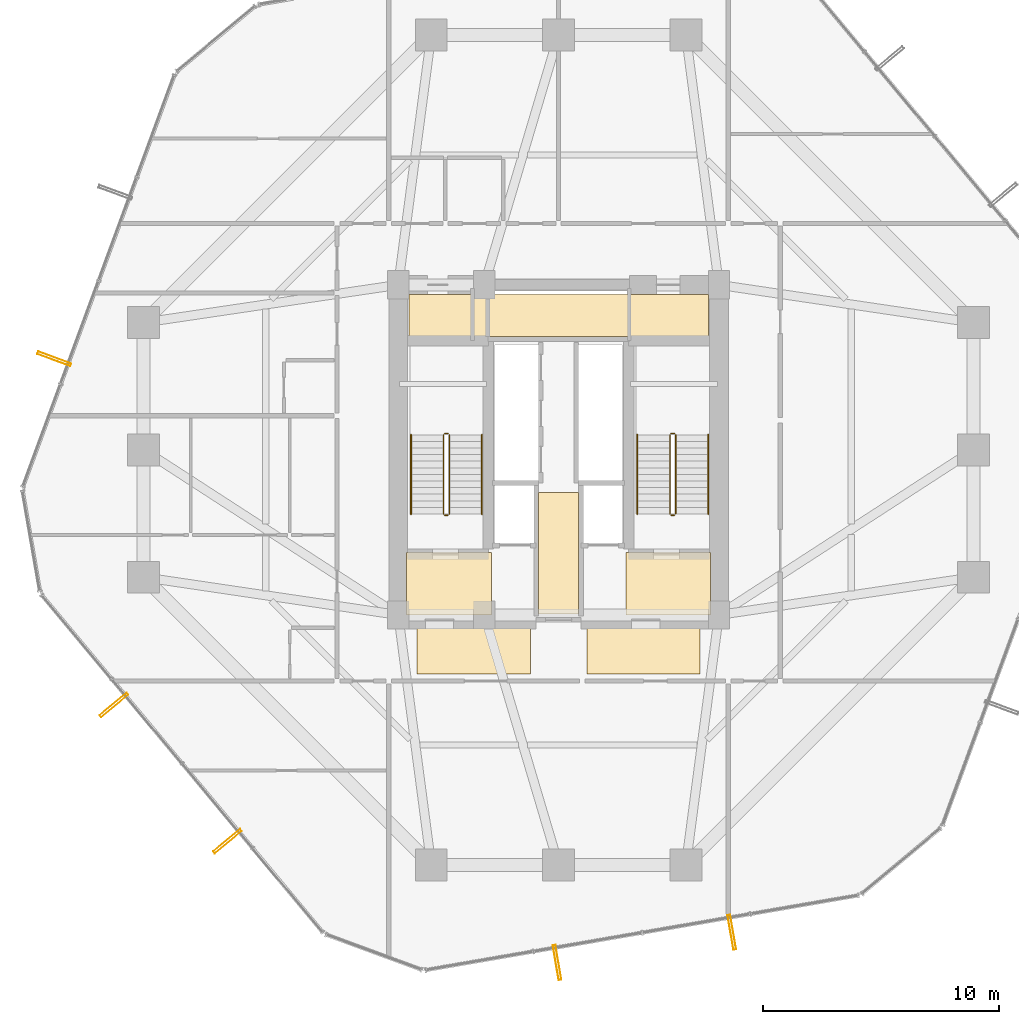
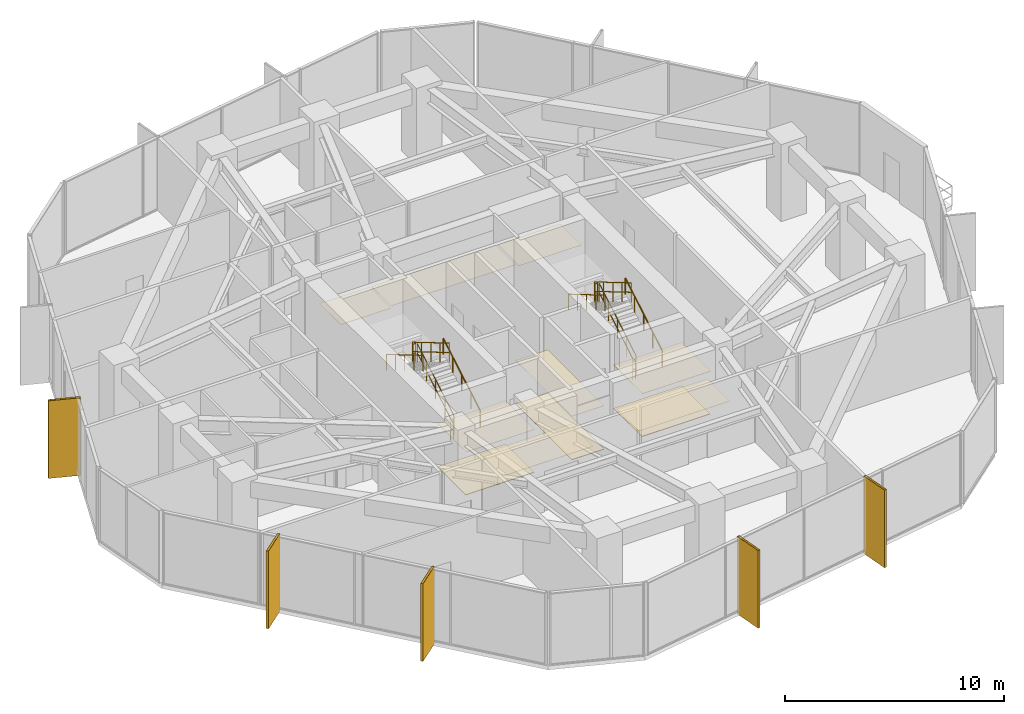
# One storey, part 34 of 35: 12 railings, 11 coverings, 5 shading devices.
"""IFC4 building model written with IfcOpenShell, lengths in metres."""

from ifc_helpers import new_model, si_unit, direction, frame, origin, origin_2d, place, context, subcontext, project, spatial, polyline, hollow_rectangle, circle, outline, extrude, material, layer, layer_set, material_profile, profile_set, type_object, element, save


model = new_model("IFC4")

# Units and contexts
model_context = context("Model", 3, precision=1e-05, world=origin(), true_north=direction((0.0, 1.0)))
body_context = subcontext(model_context, "Body", "Model", "MODEL_VIEW")
ifc_project = project(units=[si_unit("LENGTHUNIT", "METRE"), si_unit("AREAUNIT", "SQUARE_METRE"), si_unit("VOLUMEUNIT", "CUBIC_METRE"), si_unit("PLANEANGLEUNIT", "RADIAN"), si_unit("MASSUNIT", "GRAM", prefix="KILO")], contexts=[model_context])

# Site, building, storey
site_placement = place(None, origin())
site = spatial("IfcSite", under=ifc_project, at=site_placement, CompositionType="ELEMENT")
building_placement = place(site_placement, origin())
building = spatial("IfcBuilding", under=site, at=building_placement, Name="Veraguas Prism Commons", CompositionType="ELEMENT")
storey_placement = place(building_placement, frame((0.0, 0.0, 56.550048828125)))
storey = spatial("IfcBuildingStorey", under=building, at=storey_placement, Name="L15", CompositionType="ELEMENT", Elevation=56.550048828125)

# Shading devices
ifc_material_1 = material(Name="Anodised aluminium EN AW-6063 T6", Category="aluminium")
ifc_material_profile = material_profile(ifc_material_1, hollow_rectangle(XDim=0.1201171875, YDim=1.489990234375, WallThickness=0.006103515625, at=origin_2d()), Name="FIN120X1490X6")
ifc_profile_set = profile_set([ifc_material_profile], Name="Anodised aluminium EN AW-6063 T6")
shading_device_type = type_object("IfcShadingDeviceType", Name="Deep Pale-Metal Vertical Solar Fin 120x1490", PredefinedType="USERDEFINED", material=ifc_profile_set)
for number, where, z_axis, x_axis, name in (
    (1, (2.608642578125, 27.86328125, -0.260009765625), (0.0, 0.0, 1.0), (-0.345301474955, -0.938491817436, 0.0), "Vertical Pale-Metal Solar Fin L15-F3B"),
    (2, (5.14404296875, 13.184814453125, -0.260009765625), (0.0, 0.0, 1.0), (0.640108358576, -0.768284640795, 0.0), "Vertical Pale-Metal Solar Fin L15-F4A"),
    (3, (9.958740234375, 7.406005859375, -0.260009765625), (0.0, 0.0, 1.0), (0.640108358576, -0.768284640795, 0.0), "Vertical Pale-Metal Solar Fin L15-F4B"),
    (4, (23.938232421875, 2.2626953125, -0.260009765625), (0.0, 0.0, 1.0), (0.985407898483, 0.170209499166, 0.0), "Vertical Pale-Metal Solar Fin L15-F5A"),
    (5, (31.35009765625, 3.54296875, -0.260009765625), (0.0, 0.0, 1.0), (0.985407898483, 0.170209499166, 0.0), "Vertical Pale-Metal Solar Fin L15-F5B"),
):
    element("IfcShadingDevice", number, at=place(storey_placement, frame(where, z_axis=z_axis, x_axis=x_axis)), inside=storey, type_object=shading_device_type, Name=name, ObjectType="FIN", PredefinedType="USERDEFINED", context=body_context, shape_type="SweptSolid", body=[
        extrude(hollow_rectangle(XDim=0.1201171875, YDim=1.489990234375, WallThickness=0.006103515625, at=origin_2d()), origin(), (0.0, 0.0, 1.0), 4.330078125),
    ])

# Coverings
ifc_material_2 = material(Name="Acoustic gypsum board")
ifc_layer_1 = layer(ifc_material_2, 0.02490234375, Name="Perforated Acoustic Ceiling Tile 25")
ifc_layer_set_1 = layer_set([ifc_layer_1], Name="Acoustic gypsum board")
covering_type_1 = type_object("IfcCoveringType", Name="Perforated Acoustic Ceiling Tile 25", PredefinedType="USERDEFINED", material=ifc_layer_set_1)
covering_1_placement = place(storey_placement, frame((0.0, 0.0, 2.425048828125)))
element("IfcCovering", 6, at=covering_1_placement, inside=storey, type_object=covering_type_1, Name="East Lobby Acoustic Ceiling L15", ObjectType="ACOUSTIC CEILING", PredefinedType="USERDEFINED", context=body_context, shape_type="SweptSolid", body=[
    extrude(outline(polyline([(26.85009765625, 17.0), (30.449951171875, 17.0), (30.449951171875, 19.64990234375), (26.85009765625, 19.64990234375), (26.85009765625, 17.0)])), origin(), (0.0, 0.0, 1.0), 0.02490234375),
])
ifc_material_3 = material(Name="Terrazzo stone finish", Category="masonry")
ifc_layer_2 = layer(ifc_material_3, 0.030029296875, Name="Polished Terrazzo Floor Finish 30", Category="masonry")
ifc_layer_set_2 = layer_set([ifc_layer_2], Name="Terrazzo stone finish")
covering_type_2 = type_object("IfcCoveringType", Name="Polished Terrazzo Floor Finish 30", PredefinedType="FLOORING", material=ifc_layer_set_2)
covering_2_placement = place(storey_placement, origin())
element("IfcCovering", 7, at=covering_2_placement, inside=storey, type_object=covering_type_2, Name="Terrazzo Lobby Flooring L15", PredefinedType="FLOORING", context=body_context, shape_type="SweptSolid", body=[
    extrude(outline(polyline([(23.14990234375, 17.050048828125), (24.85009765625, 17.050048828125), (24.85009765625, 22.199951171875), (23.14990234375, 22.199951171875), (23.14990234375, 17.050048828125)])), origin(), (0.0, 0.0, 1.0), 0.030029296875),
])
covering_3_placement = place(storey_placement, origin())
element("IfcCovering", 8, at=covering_3_placement, inside=storey, type_object=covering_type_2, Name="West FF Lobby Terrazzo Flooring L15", PredefinedType="FLOORING", context=body_context, shape_type="SweptSolid", body=[
    extrude(outline(polyline([(17.550048828125, 17.050048828125), (21.14990234375, 17.050048828125), (21.14990234375, 19.64990234375), (17.550048828125, 19.64990234375), (17.550048828125, 17.050048828125)])), origin(), (0.0, 0.0, 1.0), 0.030029296875),
])
covering_4_placement = place(storey_placement, origin())
element("IfcCovering", 9, at=covering_4_placement, inside=storey, type_object=covering_type_2, Name="East FF Lobby Terrazzo Flooring L15", PredefinedType="FLOORING", context=body_context, shape_type="SweptSolid", body=[
    extrude(outline(polyline([(26.85009765625, 17.050048828125), (30.449951171875, 17.050048828125), (30.449951171875, 19.64990234375), (26.85009765625, 19.64990234375), (26.85009765625, 17.050048828125)])), origin(), (0.0, 0.0, 1.0), 0.030029296875),
])

# Railings
ifc_material_4 = material(Name="Stainless steel AISI 316", Category="steel")
railing_type_1 = type_object("IfcRailingType", Name="Stair and Ramp Stainless Handrail 900", PredefinedType="HANDRAIL", material=ifc_material_4)
railing_1_placement = place(storey_placement, frame((20.75, 21.280029296875, 0.165283203125)))
element("IfcRailing", 10, at=railing_1_placement, inside=storey, type_object=railing_type_1, Name="Stair Handrail ST-01 L15-1", PredefinedType="HANDRAIL", context=body_context, shape_type="SweptSolid", body=[
    extrude(circle(Radius=0.02392578125, at=origin_2d()), frame((0.0, 0.0, 0.8759765625), z_axis=(0.0, 0.861011212953, 0.508585972249), x_axis=(-1.0, 0.0, 0.0)), (0.0, 0.0, 1.0), 3.90234375),
    extrude(circle(Radius=0.02099609375, at=origin_2d()), origin(), (0.0, 0.0, 1.0), 0.851806640625),
    extrude(circle(Radius=0.02099609375, at=origin_2d()), frame((0.0, 0.83984375, 0.49609375)), (0.0, 0.0, 1.0), 0.851806640625),
    extrude(circle(Radius=0.02099609375, at=origin_2d()), frame((0.0, 1.679931640625, 0.9921875)), (0.0, 0.0, 1.0), 0.851806640625),
    extrude(circle(Radius=0.02099609375, at=origin_2d()), frame((0.0, 2.52001953125, 1.488525390625)), (0.0, 0.0, 1.0), 0.851806640625),
    extrude(circle(Radius=0.02099609375, at=origin_2d()), frame((0.0, 3.35986328125, 1.984619140625)), (0.0, 0.0, 1.0), 0.851806640625),
])
railing_2_placement = place(storey_placement, frame((17.739990234375, 24.639892578125, 2.3154296875)))
element("IfcRailing", 11, at=railing_2_placement, inside=storey, type_object=railing_type_1, Name="Stair Handrail ST-01 L15-2", PredefinedType="HANDRAIL", context=body_context, shape_type="SweptSolid", body=[
    extrude(circle(Radius=0.02392578125, at=origin_2d()), frame((0.0, 0.0, 0.8759765625), z_axis=(0.0, -0.861011212953, 0.508585972249), x_axis=(1.0, 0.0, 0.0)), (0.0, 0.0, 1.0), 3.90234375),
    extrude(circle(Radius=0.02099609375, at=origin_2d()), origin(), (0.0, 0.0, 1.0), 0.851806640625),
    extrude(circle(Radius=0.02099609375, at=origin_2d()), frame((0.0, -0.83984375, 0.49609375)), (0.0, 0.0, 1.0), 0.851806640625),
    extrude(circle(Radius=0.02099609375, at=origin_2d()), frame((0.0, -1.679931640625, 0.9921875)), (0.0, 0.0, 1.0), 0.851806640625),
    extrude(circle(Radius=0.02099609375, at=origin_2d()), frame((0.0, -2.52001953125, 1.488525390625)), (0.0, 0.0, 1.0), 0.851806640625),
    extrude(circle(Radius=0.02099609375, at=origin_2d()), frame((0.0, -3.35986328125, 1.984619140625)), (0.0, 0.0, 1.0), 0.851806640625),
])
railing_3_placement = place(storey_placement, frame((30.35009765625, 21.280029296875, 0.165283203125)))
element("IfcRailing", 12, at=railing_3_placement, inside=storey, type_object=railing_type_1, Name="Stair Handrail ST-02 L15-1", PredefinedType="HANDRAIL", context=body_context, shape_type="SweptSolid", body=[
    extrude(circle(Radius=0.02392578125, at=origin_2d()), frame((0.0, 0.0, 0.8759765625), z_axis=(0.0, 0.861011212953, 0.508585972249), x_axis=(-1.0, 0.0, 0.0)), (0.0, 0.0, 1.0), 3.90234375),
    extrude(circle(Radius=0.02099609375, at=origin_2d()), origin(), (0.0, 0.0, 1.0), 0.851806640625),
    extrude(circle(Radius=0.02099609375, at=origin_2d()), frame((0.0, 0.83984375, 0.49609375)), (0.0, 0.0, 1.0), 0.851806640625),
    extrude(circle(Radius=0.02099609375, at=origin_2d()), frame((0.0, 1.679931640625, 0.9921875)), (0.0, 0.0, 1.0), 0.851806640625),
    extrude(circle(Radius=0.02099609375, at=origin_2d()), frame((0.0, 2.52001953125, 1.488525390625)), (0.0, 0.0, 1.0), 0.851806640625),
    extrude(circle(Radius=0.02099609375, at=origin_2d()), frame((0.0, 3.35986328125, 1.984619140625)), (0.0, 0.0, 1.0), 0.851806640625),
])
railing_4_placement = place(storey_placement, frame((27.340087890625, 24.639892578125, 2.3154296875)))
element("IfcRailing", 13, at=railing_4_placement, inside=storey, type_object=railing_type_1, Name="Stair Handrail ST-02 L15-2", PredefinedType="HANDRAIL", context=body_context, shape_type="SweptSolid", body=[
    extrude(circle(Radius=0.02392578125, at=origin_2d()), frame((0.0, 0.0, 0.8759765625), z_axis=(0.0, -0.861011212953, 0.508585972249), x_axis=(1.0, 0.0, 0.0)), (0.0, 0.0, 1.0), 3.90234375),
    extrude(circle(Radius=0.02099609375, at=origin_2d()), origin(), (0.0, 0.0, 1.0), 0.851806640625),
    extrude(circle(Radius=0.02099609375, at=origin_2d()), frame((0.0, -0.83984375, 0.49609375)), (0.0, 0.0, 1.0), 0.851806640625),
    extrude(circle(Radius=0.02099609375, at=origin_2d()), frame((0.0, -1.679931640625, 0.9921875)), (0.0, 0.0, 1.0), 0.851806640625),
    extrude(circle(Radius=0.02099609375, at=origin_2d()), frame((0.0, -2.52001953125, 1.488525390625)), (0.0, 0.0, 1.0), 0.851806640625),
    extrude(circle(Radius=0.02099609375, at=origin_2d()), frame((0.0, -3.35986328125, 1.984619140625)), (0.0, 0.0, 1.0), 0.851806640625),
])
railing_type_2 = type_object("IfcRailingType", Name="Stairwell Safety Guardrail 1100", PredefinedType="GUARDRAIL", material=ifc_material_4)
railing_5_placement = place(storey_placement, frame((19.3701171875, 21.280029296875, 0.165283203125)))
element("IfcRailing", 14, at=railing_5_placement, inside=storey, type_object=railing_type_2, Name="Stair Guard ST-01 L15-1", PredefinedType="GUARDRAIL", context=body_context, shape_type="SweptSolid", body=[
    extrude(circle(Radius=0.02392578125, at=origin_2d()), frame((0.0, 0.0, 1.076171875), z_axis=(0.0, 0.861011212953, 0.508585972249), x_axis=(-1.0, 0.0, 0.0)), (0.0, 0.0, 1.0), 3.90234375),
    extrude(circle(Radius=0.02392578125, at=origin_2d()), frame((0.0, 0.0, 0.550048828125), z_axis=(0.0, 0.861011212953, 0.508585972249), x_axis=(-1.0, 0.0, 0.0)), (0.0, 0.0, 1.0), 3.90234375),
    extrude(circle(Radius=0.02099609375, at=origin_2d()), origin(), (0.0, 0.0, 1.0), 1.052001953125),
    extrude(circle(Radius=0.02099609375, at=origin_2d()), frame((0.0, 0.83984375, 0.49609375)), (0.0, 0.0, 1.0), 1.052001953125),
    extrude(circle(Radius=0.02099609375, at=origin_2d()), frame((0.0, 1.679931640625, 0.9921875)), (0.0, 0.0, 1.0), 1.052001953125),
    extrude(circle(Radius=0.02099609375, at=origin_2d()), frame((0.0, 2.52001953125, 1.488525390625)), (0.0, 0.0, 1.0), 1.052001953125),
    extrude(circle(Radius=0.02099609375, at=origin_2d()), frame((0.0, 3.35986328125, 1.984619140625)), (0.0, 0.0, 1.0), 1.052001953125),
])
railing_6_placement = place(storey_placement, frame((19.320068359375, 24.68994140625, 2.14990234375)))
element("IfcRailing", 15, at=railing_6_placement, inside=storey, type_object=railing_type_2, Name="Stair Guard ST-01 L15-2", PredefinedType="GUARDRAIL", context=body_context, shape_type="SweptSolid", body=[
    extrude(circle(Radius=0.02392578125, at=origin_2d()), frame((0.0, 0.0, 1.076171875), z_axis=(-1.0, 0.0, 0.0), x_axis=(0.0, -1.0, 0.0)), (0.0, 0.0, 1.0), 0.150146484375),
    extrude(circle(Radius=0.02392578125, at=origin_2d()), frame((0.0, 0.0, 0.550048828125), z_axis=(-1.0, 0.0, 0.0), x_axis=(0.0, -1.0, 0.0)), (0.0, 0.0, 1.0), 0.150146484375),
    extrude(circle(Radius=0.02099609375, at=origin_2d()), origin(), (0.0, 0.0, 1.0), 1.052001953125),
    extrude(circle(Radius=0.02099609375, at=origin_2d()), frame((-0.150146484375, 0.0, 0.0)), (0.0, 0.0, 1.0), 1.052001953125),
])
railing_7_placement = place(storey_placement, frame((19.1201171875, 24.639892578125, 2.3154296875)))
element("IfcRailing", 16, at=railing_7_placement, inside=storey, type_object=railing_type_2, Name="Stair Guard ST-01 L15-3", PredefinedType="GUARDRAIL", context=body_context, shape_type="SweptSolid", body=[
    extrude(circle(Radius=0.02392578125, at=origin_2d()), frame((0.0, 0.0, 1.076171875), z_axis=(0.0, -0.861011212953, 0.508585972249), x_axis=(1.0, 0.0, 0.0)), (0.0, 0.0, 1.0), 3.90234375),
    extrude(circle(Radius=0.02392578125, at=origin_2d()), frame((0.0, 0.0, 0.550048828125), z_axis=(0.0, -0.861011212953, 0.508585972249), x_axis=(1.0, 0.0, 0.0)), (0.0, 0.0, 1.0), 3.90234375),
    extrude(circle(Radius=0.02099609375, at=origin_2d()), origin(), (0.0, 0.0, 1.0), 1.052001953125),
    extrude(circle(Radius=0.02099609375, at=origin_2d()), frame((0.0, -0.83984375, 0.49609375)), (0.0, 0.0, 1.0), 1.052001953125),
    extrude(circle(Radius=0.02099609375, at=origin_2d()), frame((0.0, -1.679931640625, 0.9921875)), (0.0, 0.0, 1.0), 1.052001953125),
    extrude(circle(Radius=0.02099609375, at=origin_2d()), frame((0.0, -2.52001953125, 1.488525390625)), (0.0, 0.0, 1.0), 1.052001953125),
    extrude(circle(Radius=0.02099609375, at=origin_2d()), frame((0.0, -3.35986328125, 1.984619140625)), (0.0, 0.0, 1.0), 1.052001953125),
])
railing_8_placement = place(storey_placement, frame((19.320068359375, 21.22998046875, 0.0)))
element("IfcRailing", 17, at=railing_8_placement, inside=storey, type_object=railing_type_2, Name="Stair Guard ST-01 L15-4", PredefinedType="GUARDRAIL", context=body_context, shape_type="SweptSolid", body=[
    extrude(circle(Radius=0.02392578125, at=origin_2d()), frame((0.0, 0.0, 1.076171875), z_axis=(-1.0, 0.0, 0.0), x_axis=(0.0, -1.0, 0.0)), (0.0, 0.0, 1.0), 0.150146484375),
    extrude(circle(Radius=0.02392578125, at=origin_2d()), frame((0.0, 0.0, 0.550048828125), z_axis=(-1.0, 0.0, 0.0), x_axis=(0.0, -1.0, 0.0)), (0.0, 0.0, 1.0), 0.150146484375),
    extrude(circle(Radius=0.02099609375, at=origin_2d()), origin(), (0.0, 0.0, 1.0), 1.052001953125),
    extrude(circle(Radius=0.02099609375, at=origin_2d()), frame((-0.150146484375, 0.0, 0.0)), (0.0, 0.0, 1.0), 1.052001953125),
])
railing_9_placement = place(storey_placement, frame((28.969970703125, 21.280029296875, 0.165283203125)))
element("IfcRailing", 18, at=railing_9_placement, inside=storey, type_object=railing_type_2, Name="Stair Guard ST-02 L15-1", PredefinedType="GUARDRAIL", context=body_context, shape_type="SweptSolid", body=[
    extrude(circle(Radius=0.02392578125, at=origin_2d()), frame((0.0, 0.0, 1.076171875), z_axis=(0.0, 0.861011212953, 0.508585972249), x_axis=(-1.0, 0.0, 0.0)), (0.0, 0.0, 1.0), 3.90234375),
    extrude(circle(Radius=0.02392578125, at=origin_2d()), frame((0.0, 0.0, 0.550048828125), z_axis=(0.0, 0.861011212953, 0.508585972249), x_axis=(-1.0, 0.0, 0.0)), (0.0, 0.0, 1.0), 3.90234375),
    extrude(circle(Radius=0.02099609375, at=origin_2d()), origin(), (0.0, 0.0, 1.0), 1.052001953125),
    extrude(circle(Radius=0.02099609375, at=origin_2d()), frame((0.0, 0.83984375, 0.49609375)), (0.0, 0.0, 1.0), 1.052001953125),
    extrude(circle(Radius=0.02099609375, at=origin_2d()), frame((0.0, 1.679931640625, 0.9921875)), (0.0, 0.0, 1.0), 1.052001953125),
    extrude(circle(Radius=0.02099609375, at=origin_2d()), frame((0.0, 2.52001953125, 1.488525390625)), (0.0, 0.0, 1.0), 1.052001953125),
    extrude(circle(Radius=0.02099609375, at=origin_2d()), frame((0.0, 3.35986328125, 1.984619140625)), (0.0, 0.0, 1.0), 1.052001953125),
])
railing_10_placement = place(storey_placement, frame((28.919921875, 24.68994140625, 2.14990234375)))
element("IfcRailing", 19, at=railing_10_placement, inside=storey, type_object=railing_type_2, Name="Stair Guard ST-02 L15-2", PredefinedType="GUARDRAIL", context=body_context, shape_type="SweptSolid", body=[
    extrude(circle(Radius=0.02392578125, at=origin_2d()), frame((0.0, 0.0, 1.076171875), z_axis=(-1.0, 0.0, 0.0), x_axis=(0.0, -1.0, 0.0)), (0.0, 0.0, 1.0), 0.14990234375),
    extrude(circle(Radius=0.02392578125, at=origin_2d()), frame((0.0, 0.0, 0.550048828125), z_axis=(-1.0, 0.0, 0.0), x_axis=(0.0, -1.0, 0.0)), (0.0, 0.0, 1.0), 0.14990234375),
    extrude(circle(Radius=0.02099609375, at=origin_2d()), origin(), (0.0, 0.0, 1.0), 1.052001953125),
    extrude(circle(Radius=0.02099609375, at=origin_2d()), frame((-0.14990234375, 0.0, 0.0)), (0.0, 0.0, 1.0), 1.052001953125),
])
railing_11_placement = place(storey_placement, frame((28.719970703125, 24.639892578125, 2.3154296875)))
element("IfcRailing", 20, at=railing_11_placement, inside=storey, type_object=railing_type_2, Name="Stair Guard ST-02 L15-3", PredefinedType="GUARDRAIL", context=body_context, shape_type="SweptSolid", body=[
    extrude(circle(Radius=0.02392578125, at=origin_2d()), frame((0.0, 0.0, 1.076171875), z_axis=(0.0, -0.861011212953, 0.508585972249), x_axis=(1.0, 0.0, 0.0)), (0.0, 0.0, 1.0), 3.90234375),
    extrude(circle(Radius=0.02392578125, at=origin_2d()), frame((0.0, 0.0, 0.550048828125), z_axis=(0.0, -0.861011212953, 0.508585972249), x_axis=(1.0, 0.0, 0.0)), (0.0, 0.0, 1.0), 3.90234375),
    extrude(circle(Radius=0.02099609375, at=origin_2d()), origin(), (0.0, 0.0, 1.0), 1.052001953125),
    extrude(circle(Radius=0.02099609375, at=origin_2d()), frame((0.0, -0.83984375, 0.49609375)), (0.0, 0.0, 1.0), 1.052001953125),
    extrude(circle(Radius=0.02099609375, at=origin_2d()), frame((0.0, -1.679931640625, 0.9921875)), (0.0, 0.0, 1.0), 1.052001953125),
    extrude(circle(Radius=0.02099609375, at=origin_2d()), frame((0.0, -2.52001953125, 1.488525390625)), (0.0, 0.0, 1.0), 1.052001953125),
    extrude(circle(Radius=0.02099609375, at=origin_2d()), frame((0.0, -3.35986328125, 1.984619140625)), (0.0, 0.0, 1.0), 1.052001953125),
])
railing_12_placement = place(storey_placement, frame((28.919921875, 21.22998046875, 0.0)))
element("IfcRailing", 21, at=railing_12_placement, inside=storey, type_object=railing_type_2, Name="Stair Guard ST-02 L15-4", PredefinedType="GUARDRAIL", context=body_context, shape_type="SweptSolid", body=[
    extrude(circle(Radius=0.02392578125, at=origin_2d()), frame((0.0, 0.0, 1.076171875), z_axis=(-1.0, 0.0, 0.0), x_axis=(0.0, -1.0, 0.0)), (0.0, 0.0, 1.0), 0.14990234375),
    extrude(circle(Radius=0.02392578125, at=origin_2d()), frame((0.0, 0.0, 0.550048828125), z_axis=(-1.0, 0.0, 0.0), x_axis=(0.0, -1.0, 0.0)), (0.0, 0.0, 1.0), 0.14990234375),
    extrude(circle(Radius=0.02099609375, at=origin_2d()), origin(), (0.0, 0.0, 1.0), 1.052001953125),
    extrude(circle(Radius=0.02099609375, at=origin_2d()), frame((-0.14990234375, 0.0, 0.0)), (0.0, 0.0, 1.0), 1.052001953125),
])

# Coverings
ifc_layer_3 = layer(ifc_material_2, 0.02001953125, Name="Suspended Gypsum Ceiling 20")
ifc_layer_set_3 = layer_set([ifc_layer_3], Name="Acoustic gypsum board")
covering_type_3 = type_object("IfcCoveringType", Name="Suspended Gypsum Ceiling 20", PredefinedType="CEILING", material=ifc_layer_set_3)
covering_5_placement = place(storey_placement, frame((0.0, 0.0, 2.429931640625)))
element("IfcCovering", 22, at=covering_5_placement, inside=storey, type_object=covering_type_3, Name="West Lobby Suspended Gypsum Ceiling L15", PredefinedType="CEILING", context=body_context, shape_type="SweptSolid", body=[
    extrude(outline(polyline([(17.550048828125, 17.0), (21.14990234375, 17.0), (21.14990234375, 19.64990234375), (17.550048828125, 19.64990234375), (17.550048828125, 17.0)])), origin(), (0.0, 0.0, 1.0), 0.02001953125),
])
covering_6_placement = place(storey_placement, frame((0.0, 0.0, 2.429931640625)))
element("IfcCovering", 23, at=covering_6_placement, inside=storey, type_object=covering_type_3, Name="Core Lobby Acoustic Ceiling L15-1", PredefinedType="CEILING", context=body_context, shape_type="SweptSolid", body=[
    extrude(outline(polyline([(18.0, 14.5), (22.800048828125, 14.5), (22.800048828125, 16.550048828125), (18.0, 16.550048828125), (18.0, 14.5)])), origin(), (0.0, 0.0, 1.0), 0.02001953125),
])
covering_7_placement = place(storey_placement, frame((0.0, 0.0, 2.429931640625)))
element("IfcCovering", 24, at=covering_7_placement, inside=storey, type_object=covering_type_3, Name="Core Lobby Acoustic Ceiling L15-2", PredefinedType="CEILING", context=body_context, shape_type="SweptSolid", body=[
    extrude(outline(polyline([(25.199951171875, 14.5), (30.0, 14.5), (30.0, 16.550048828125), (25.199951171875, 16.550048828125), (25.199951171875, 14.5)])), origin(), (0.0, 0.0, 1.0), 0.02001953125),
])
covering_8_placement = place(storey_placement, frame((0.0, 0.0, 2.429931640625)))
element("IfcCovering", 25, at=covering_8_placement, inside=storey, type_object=covering_type_3, Name="Core Lobby Acoustic Ceiling L15-3", PredefinedType="CEILING", context=body_context, shape_type="SweptSolid", body=[
    extrude(outline(polyline([(23.14990234375, 17.050048828125), (24.85009765625, 17.050048828125), (24.85009765625, 22.199951171875), (23.14990234375, 22.199951171875), (23.14990234375, 17.050048828125)])), origin(), (0.0, 0.0, 1.0), 0.02001953125),
])
covering_9_placement = place(storey_placement, frame((0.0, 0.0, 2.429931640625)))
element("IfcCovering", 26, at=covering_9_placement, inside=storey, type_object=covering_type_3, Name="Core Lobby Acoustic Ceiling L15-4", PredefinedType="CEILING", context=body_context, shape_type="SweptSolid", body=[
    extrude(outline(polyline([(17.64990234375, 28.64990234375), (20.300048828125, 28.64990234375), (20.300048828125, 30.60009765625), (17.64990234375, 30.60009765625), (17.64990234375, 28.64990234375)])), origin(), (0.0, 0.0, 1.0), 0.02001953125),
])
covering_10_placement = place(storey_placement, frame((0.0, 0.0, 2.429931640625)))
element("IfcCovering", 27, at=covering_10_placement, inside=storey, type_object=covering_type_3, Name="Core Lobby Acoustic Ceiling L15-5", PredefinedType="CEILING", context=body_context, shape_type="SweptSolid", body=[
    extrude(outline(polyline([(27.050048828125, 28.64990234375), (30.35009765625, 28.64990234375), (30.35009765625, 30.60009765625), (27.050048828125, 30.60009765625), (27.050048828125, 28.64990234375)])), origin(), (0.0, 0.0, 1.0), 0.02001953125),
])
covering_11_placement = place(storey_placement, frame((0.0, 0.0, 2.429931640625)))
element("IfcCovering", 28, at=covering_11_placement, inside=storey, type_object=covering_type_3, Name="Core Lobby Acoustic Ceiling L15-6", PredefinedType="CEILING", context=body_context, shape_type="SweptSolid", body=[
    extrude(outline(polyline([(20.39990234375, 28.800048828125), (26.949951171875, 28.800048828125), (26.949951171875, 30.60009765625), (20.39990234375, 30.60009765625), (20.39990234375, 28.800048828125)])), origin(), (0.0, 0.0, 1.0), 0.02001953125),
])

save(model, "model.ifc")
